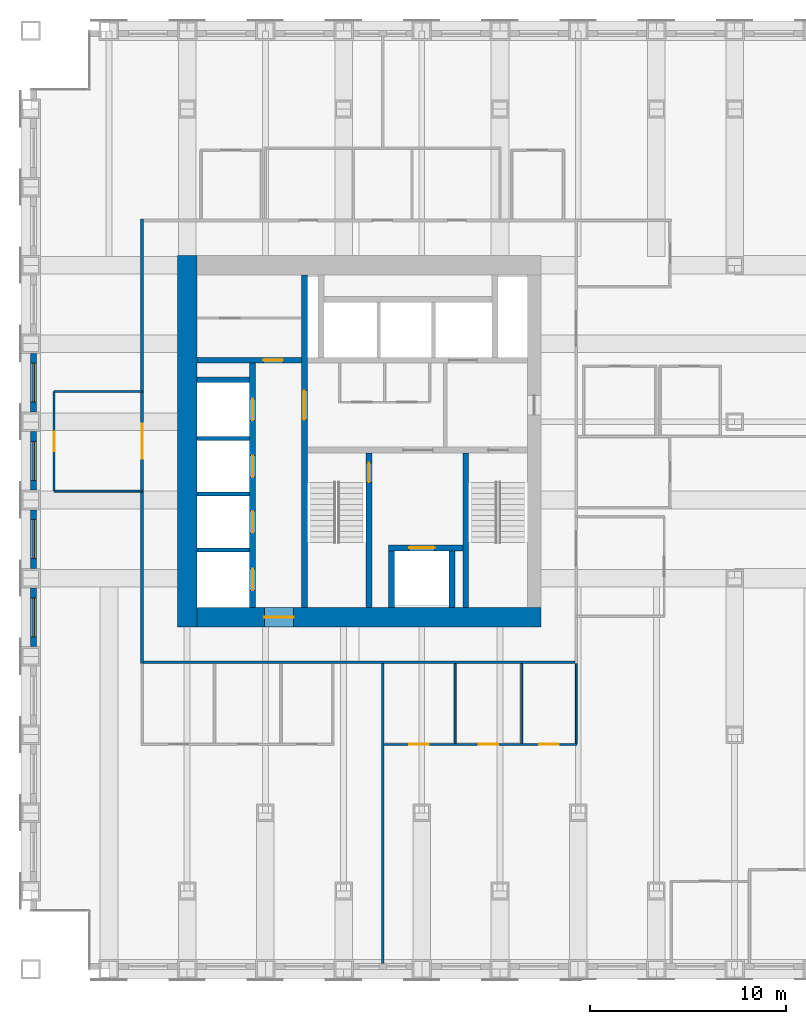
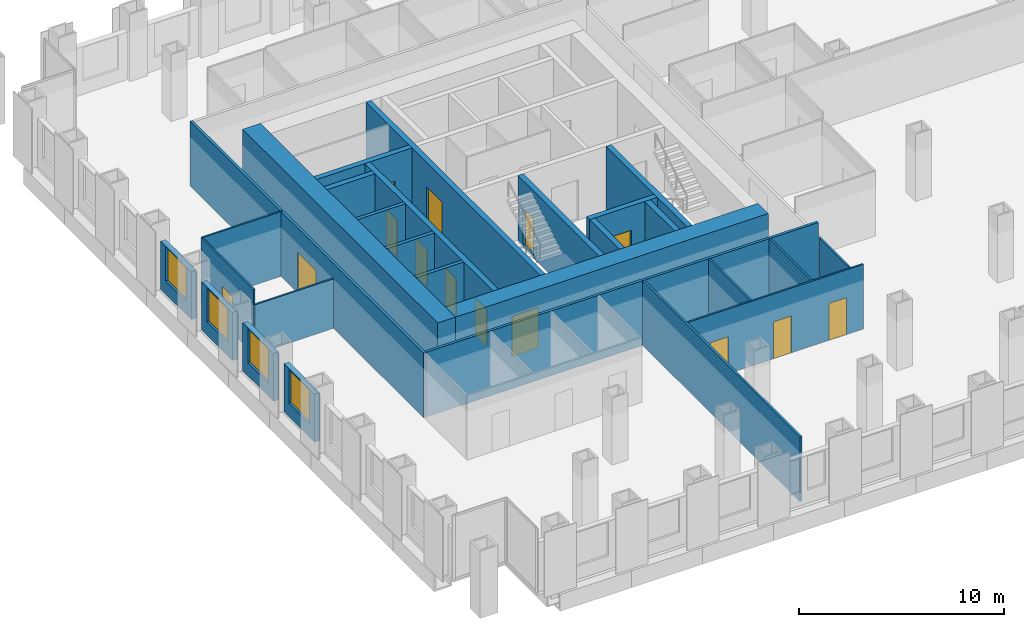
# One storey, part 11 of 16: 28 walls, 14 doors, 4 windows, 18 openings.
"""IFC4 building model written with IfcOpenShell, lengths in metres."""

from ifc_helpers import new_model, si_unit, direction, frame, frame_2d, origin, place, context, subcontext, project, spatial, rectangle, extrude, material, layer, layer_set, type_object, element, fill, save


model = new_model("IFC4")

# Units and contexts
model_context = context("Model", 3, precision=1e-05, world=origin(), true_north=direction((0.0, 1.0)))
body_context = subcontext(model_context, "Body", "Model", "MODEL_VIEW")
ifc_project = project(units=[si_unit("LENGTHUNIT", "METRE"), si_unit("AREAUNIT", "SQUARE_METRE"), si_unit("VOLUMEUNIT", "CUBIC_METRE"), si_unit("PLANEANGLEUNIT", "RADIAN"), si_unit("MASSUNIT", "GRAM", prefix="KILO")], contexts=[model_context])

# Site, building, storey
site_placement = place(None, origin())
site = spatial("IfcSite", under=ifc_project, at=site_placement, CompositionType="ELEMENT")
building_placement = place(site_placement, origin())
building = spatial("IfcBuilding", under=site, at=building_placement, Name="Rimbunsela Tower", CompositionType="ELEMENT")
storey_placement = place(building_placement, frame((0.0, 0.0, 93.39990234375)))
storey = spatial("IfcBuildingStorey", under=building, at=storey_placement, Name="L22", CompositionType="ELEMENT", Elevation=93.39990234375)

# Wall, opening, door
ifc_material_1 = material(Name="Concrete fc' 80 MPa", Category="concrete")
ifc_layer_1 = layer(ifc_material_1, 0.300048828125)
ifc_layer_set_1 = layer_set([ifc_layer_1], Name="Core internal wall 300")
wall_type_1 = type_object("IfcWallType", Name="Core internal wall 300", PredefinedType="SHEAR", material=ifc_layer_set_1)
wall_1_placement = place(storey_placement, frame((24.0, 18.5, -0.14990234375), z_axis=(0.0, 0.0, 1.0), x_axis=(0.0, 1.0, 0.0)))
wall_1 = element("IfcWall", 1, at=wall_1_placement, inside=storey, type_object=wall_type_1, Name="Core wall at stair A", PredefinedType="SHEAR", context=body_context, shape_type="SweptSolid", body=[
    extrude(rectangle(XDim=17.0, YDim=0.300048828125, at=frame_2d((8.5, 0.0))), origin(), (0.0, 0.0, 1.0), 4.0),
])
opening_1_placement = place(wall_1_placement, frame((9.60009765625, 0.0, 0.14990234375)))
opening_1 = element("IfcOpeningElement", 2, at=opening_1_placement, cuts=wall_1, Name="Opening D03", PredefinedType="OPENING", context=body_context, shape_type="SweptSolid", body=[
    extrude(rectangle(XDim=1.5, YDim=2.39990234375, at=frame_2d((0.75, 1.199951171875))), frame((0.0, 0.159912109375, 0.0), z_axis=(0.0, -1.0, 0.0), x_axis=(1.0, 0.0, 0.0)), (0.0, 0.0, 1.0), 0.320068359375),
])
ifc_material_2 = material(Name="Steel door, fire rated", Category="steel")
door_type_1 = type_object("IfcDoorType", Name="Core lobby door 1500", OperationType="DOUBLE_DOOR_DOUBLE_SWING", PredefinedType="DOOR", material=ifc_material_2)
door_1_placement = place(opening_1_placement, origin())
door_1 = element("IfcDoor", 3, at=door_1_placement, inside=storey, type_object=door_type_1, Name="West lobby door", OperationType="DOUBLE_DOOR_DOUBLE_SWING", OverallHeight=2.39990234375, OverallWidth=1.5, PredefinedType="DOOR", context=body_context, shape_type="SweptSolid", body=[
    extrude(rectangle(XDim=1.5, YDim=2.39990234375, at=frame_2d((0.75, 1.199951171875))), frame((0.0, 0.02490234375, 0.0), z_axis=(0.0, -1.0, 0.0), x_axis=(1.0, 0.0, 0.0)), (0.0, 0.0, 1.0), 0.050048828125),
])
fill(opening_1, door_1)

wall_2_placement = place(storey_placement, frame((27.300048828125, 18.5, -0.14990234375), z_axis=(0.0, 0.0, 1.0), x_axis=(0.0, 1.0, 0.0)))
wall_2 = element("IfcWall", 4, at=wall_2_placement, inside=storey, type_object=wall_type_1, Name="Stair A enclosure", PredefinedType="SHEAR", context=body_context, shape_type="SweptSolid", body=[
    extrude(rectangle(XDim=7.89990234375, YDim=0.300048828125, at=frame_2d((3.949951171875, 0.0))), origin(), (0.0, 0.0, 1.0), 4.0),
])
opening_2_placement = place(wall_2_placement, frame((6.39990234375, 0.0, 0.14990234375)))
opening_2 = element("IfcOpeningElement", 5, at=opening_2_placement, cuts=wall_2, Name="Opening D01", PredefinedType="OPENING", context=body_context, shape_type="SweptSolid", body=[
    extrude(rectangle(XDim=1.0, YDim=2.199951171875, at=frame_2d((0.5, 1.10009765625))), frame((0.0, 0.159912109375, 0.0), z_axis=(0.0, -1.0, 0.0), x_axis=(1.0, 0.0, 0.0)), (0.0, 0.0, 1.0), 0.320068359375),
])
ifc_material_3 = material(Name="Steel door, fire rated", Category="steel")
door_type_2 = type_object("IfcDoorType", Name="Stair door 1000", OperationType="SINGLE_SWING_RIGHT", PredefinedType="DOOR", material=ifc_material_3)
door_2_placement = place(opening_2_placement, origin())
door_2 = element("IfcDoor", 6, at=door_2_placement, inside=storey, type_object=door_type_2, Name="Stair A door", OperationType="SINGLE_SWING_RIGHT", OverallHeight=2.199951171875, OverallWidth=1.0, PredefinedType="DOOR", context=body_context, shape_type="SweptSolid", body=[
    extrude(rectangle(XDim=1.0, YDim=2.199951171875, at=frame_2d((0.5, 1.10009765625))), frame((0.0, 0.02490234375, 0.0), z_axis=(0.0, -1.0, 0.0), x_axis=(1.0, 0.0, 0.0)), (0.0, 0.0, 1.0), 0.050048828125),
])
fill(opening_2, door_2)

# Walls
wall_3_placement = place(storey_placement, frame((32.25, 18.5, -0.14990234375), z_axis=(0.0, 0.0, 1.0), x_axis=(0.0, 1.0, 0.0)))
element("IfcWall", 7, at=wall_3_placement, inside=storey, type_object=wall_type_1, Name="Stair B enclosure", PredefinedType="SHEAR", context=body_context, shape_type="SweptSolid", body=[
    extrude(rectangle(XDim=7.89990234375, YDim=0.300048828125, at=frame_2d((3.949951171875, 0.0))), origin(), (0.0, 0.0, 1.0), 4.0),
])
for number, where, z_axis, x_axis, name in (
    (8, (28.449951171875, 18.5, -0.14990234375), (0.0, 0.0, 1.0), (0.0, 1.0, 0.0), "Firefighting lift shaft west"),
    (9, (31.550048828125, 18.5, -0.14990234375), (0.0, 0.0, 1.0), (0.0, 1.0, 0.0), "Firefighting lift shaft east"),
):
    element("IfcWall", number, at=place(storey_placement, frame(where, z_axis=z_axis, x_axis=x_axis)), inside=storey, type_object=wall_type_1, Name=name, PredefinedType="SHEAR", context=body_context, shape_type="SweptSolid", body=[
        extrude(rectangle(XDim=2.89990234375, YDim=0.300048828125, at=frame_2d((1.449951171875, 0.0))), origin(), (0.0, 0.0, 1.0), 4.0),
    ])

# Wall, opening, door
wall_4_placement = place(storey_placement, frame((28.300048828125, 21.550048828125, -0.14990234375), z_axis=(0.0, 0.0, 1.0), x_axis=(1.0, 0.0, 0.0)))
wall_4 = element("IfcWall", 10, at=wall_4_placement, inside=storey, type_object=wall_type_1, Name="Firefighting lift shaft front", PredefinedType="SHEAR", context=body_context, shape_type="SweptSolid", body=[
    extrude(rectangle(XDim=3.800048828125, YDim=0.300048828125, at=frame_2d((1.89990234375, 0.0))), origin(), (0.0, 0.0, 1.0), 4.0),
])
opening_3_placement = place(wall_4_placement, frame((1.050048828125, 0.0, 0.14990234375)))
opening_3 = element("IfcOpeningElement", 11, at=opening_3_placement, cuts=wall_4, Name="Opening LD2", PredefinedType="OPENING", context=body_context, shape_type="SweptSolid", body=[
    extrude(rectangle(XDim=1.300048828125, YDim=2.39990234375, at=frame_2d((0.64990234375, 1.199951171875))), frame((0.0, 0.159912109375, 0.0), z_axis=(0.0, -1.0, 0.0), x_axis=(1.0, 0.0, 0.0)), (0.0, 0.0, 1.0), 0.320068359375),
])
ifc_material_4 = material(Name="Steel door, fire rated", Category="steel")
door_type_3 = type_object("IfcDoorType", Name="Lift landing door 1300", OperationType="DOUBLE_DOOR_SLIDING", PredefinedType="DOOR", material=ifc_material_4)
door_3_placement = place(opening_3_placement, origin())
door_3 = element("IfcDoor", 12, at=door_3_placement, inside=storey, type_object=door_type_3, Name="Lift landing door FL1", OperationType="DOUBLE_DOOR_SLIDING", OverallHeight=2.39990234375, OverallWidth=1.300048828125, PredefinedType="DOOR", context=body_context, shape_type="SweptSolid", body=[
    extrude(rectangle(XDim=1.300048828125, YDim=2.39990234375, at=frame_2d((0.64990234375, 1.199951171875))), frame((0.0, 0.02490234375, 0.0), z_axis=(0.0, -1.0, 0.0), x_axis=(1.0, 0.0, 0.0)), (0.0, 0.0, 1.0), 0.050048828125),
])
fill(opening_3, door_3)

# Wall, openings, doors
wall_5_placement = place(storey_placement, frame((21.35009765625, 18.5, -0.14990234375), z_axis=(0.0, 0.0, 1.0), x_axis=(0.0, 1.0, 0.0)))
wall_5 = element("IfcWall", 13, at=wall_5_placement, inside=storey, type_object=wall_type_1, Name="Lift shaft front west", PredefinedType="SHEAR", context=body_context, shape_type="SweptSolid", body=[
    extrude(rectangle(XDim=12.5, YDim=0.300048828125, at=frame_2d((6.25, 0.0))), origin(), (0.0, 0.0, 1.0), 4.0),
])
opening_4_placement = place(wall_5_placement, frame((0.875, 0.0, 0.14990234375)))
opening_4 = element("IfcOpeningElement", 14, at=opening_4_placement, cuts=wall_5, Name="Opening LD1", PredefinedType="OPENING", context=body_context, shape_type="SweptSolid", body=[
    extrude(rectangle(XDim=1.10009765625, YDim=2.199951171875, at=frame_2d((0.550048828125, 1.10009765625))), frame((0.0, 0.159912109375, 0.0), z_axis=(0.0, -1.0, 0.0), x_axis=(1.0, 0.0, 0.0)), (0.0, 0.0, 1.0), 0.320068359375),
])
opening_5_placement = place(wall_5_placement, frame((3.824951171875, 0.0, 0.14990234375)))
opening_5 = element("IfcOpeningElement", 15, at=opening_5_placement, cuts=wall_5, Name="Opening LD1", PredefinedType="OPENING", context=body_context, shape_type="SweptSolid", body=[
    extrude(rectangle(XDim=1.10009765625, YDim=2.199951171875, at=frame_2d((0.550048828125, 1.10009765625))), frame((0.0, 0.159912109375, 0.0), z_axis=(0.0, -1.0, 0.0), x_axis=(1.0, 0.0, 0.0)), (0.0, 0.0, 1.0), 0.320068359375),
])
opening_6_placement = place(wall_5_placement, frame((6.675048828125, 0.0, 0.14990234375)))
opening_6 = element("IfcOpeningElement", 16, at=opening_6_placement, cuts=wall_5, Name="Opening LD1", PredefinedType="OPENING", context=body_context, shape_type="SweptSolid", body=[
    extrude(rectangle(XDim=1.10009765625, YDim=2.199951171875, at=frame_2d((0.550048828125, 1.10009765625))), frame((0.0, 0.159912109375, 0.0), z_axis=(0.0, -1.0, 0.0), x_axis=(1.0, 0.0, 0.0)), (0.0, 0.0, 1.0), 0.320068359375),
])
opening_7_placement = place(wall_5_placement, frame((9.574951171875, 0.0, 0.14990234375)))
opening_7 = element("IfcOpeningElement", 17, at=opening_7_placement, cuts=wall_5, Name="Opening LD1", PredefinedType="OPENING", context=body_context, shape_type="SweptSolid", body=[
    extrude(rectangle(XDim=1.10009765625, YDim=2.199951171875, at=frame_2d((0.550048828125, 1.10009765625))), frame((0.0, 0.159912109375, 0.0), z_axis=(0.0, -1.0, 0.0), x_axis=(1.0, 0.0, 0.0)), (0.0, 0.0, 1.0), 0.320068359375),
])
ifc_material_5 = material(Name="Steel door, fire rated", Category="steel")
door_type_4 = type_object("IfcDoorType", Name="Lift landing door 1100", OperationType="DOUBLE_DOOR_SLIDING", PredefinedType="DOOR", material=ifc_material_5)
door_4_placement = place(opening_4_placement, origin())
door_4 = element("IfcDoor", 18, at=door_4_placement, inside=storey, type_object=door_type_4, Name="Lift landing door ML1", OperationType="DOUBLE_DOOR_SLIDING", OverallHeight=2.199951171875, OverallWidth=1.10009765625, PredefinedType="DOOR", context=body_context, shape_type="SweptSolid", body=[
    extrude(rectangle(XDim=1.10009765625, YDim=2.199951171875, at=frame_2d((0.550048828125, 1.10009765625))), frame((0.0, 0.02490234375, 0.0), z_axis=(0.0, -1.0, 0.0), x_axis=(1.0, 0.0, 0.0)), (0.0, 0.0, 1.0), 0.050048828125),
])
fill(opening_4, door_4)
door_5_placement = place(opening_5_placement, origin())
door_5 = element("IfcDoor", 19, at=door_5_placement, inside=storey, type_object=door_type_4, Name="Lift landing door ML2", OperationType="DOUBLE_DOOR_SLIDING", OverallHeight=2.199951171875, OverallWidth=1.10009765625, PredefinedType="DOOR", context=body_context, shape_type="SweptSolid", body=[
    extrude(rectangle(XDim=1.10009765625, YDim=2.199951171875, at=frame_2d((0.550048828125, 1.10009765625))), frame((0.0, 0.02490234375, 0.0), z_axis=(0.0, -1.0, 0.0), x_axis=(1.0, 0.0, 0.0)), (0.0, 0.0, 1.0), 0.050048828125),
])
fill(opening_5, door_5)
door_6_placement = place(opening_6_placement, origin())
door_6 = element("IfcDoor", 20, at=door_6_placement, inside=storey, type_object=door_type_4, Name="Lift landing door ML3", OperationType="DOUBLE_DOOR_SLIDING", OverallHeight=2.199951171875, OverallWidth=1.10009765625, PredefinedType="DOOR", context=body_context, shape_type="SweptSolid", body=[
    extrude(rectangle(XDim=1.10009765625, YDim=2.199951171875, at=frame_2d((0.550048828125, 1.10009765625))), frame((0.0, 0.02490234375, 0.0), z_axis=(0.0, -1.0, 0.0), x_axis=(1.0, 0.0, 0.0)), (0.0, 0.0, 1.0), 0.050048828125),
])
fill(opening_6, door_6)
door_7_placement = place(opening_7_placement, origin())
door_7 = element("IfcDoor", 21, at=door_7_placement, inside=storey, type_object=door_type_4, Name="Lift landing door ML4", OperationType="DOUBLE_DOOR_SLIDING", OverallHeight=2.199951171875, OverallWidth=1.10009765625, PredefinedType="DOOR", context=body_context, shape_type="SweptSolid", body=[
    extrude(rectangle(XDim=1.10009765625, YDim=2.199951171875, at=frame_2d((0.550048828125, 1.10009765625))), frame((0.0, 0.02490234375, 0.0), z_axis=(0.0, -1.0, 0.0), x_axis=(1.0, 0.0, 0.0)), (0.0, 0.0, 1.0), 0.050048828125),
])
fill(opening_7, door_7)

# Wall, opening, door
wall_6_placement = place(storey_placement, frame((18.5, 31.14990234375, -0.14990234375), z_axis=(0.0, 0.0, 1.0), x_axis=(1.0, 0.0, 0.0)))
wall_6 = element("IfcWall", 22, at=wall_6_placement, inside=storey, type_object=wall_type_1, Name="Store wall", PredefinedType="SHEAR", context=body_context, shape_type="SweptSolid", body=[
    extrude(rectangle(XDim=5.35009765625, YDim=0.300048828125, at=frame_2d((2.675048828125, 0.0))), origin(), (0.0, 0.0, 1.0), 4.0),
])
opening_8_placement = place(wall_6_placement, frame((3.39990234375, 0.0, 0.14990234375)))
opening_8 = element("IfcOpeningElement", 23, at=opening_8_placement, cuts=wall_6, Name="Opening D19", PredefinedType="OPENING", context=body_context, shape_type="SweptSolid", body=[
    extrude(rectangle(XDim=1.0, YDim=2.199951171875, at=frame_2d((0.5, 1.10009765625))), frame((0.0, 0.159912109375, 0.0), z_axis=(0.0, -1.0, 0.0), x_axis=(1.0, 0.0, 0.0)), (0.0, 0.0, 1.0), 0.320068359375),
])
ifc_material_6 = material(Name="Steel door, fire rated", Category="steel")
door_type_5 = type_object("IfcDoorType", Name="Service door 1000 fire rated", OperationType="SINGLE_SWING_LEFT", PredefinedType="DOOR", material=ifc_material_6)
door_8_placement = place(opening_8_placement, origin())
door_8 = element("IfcDoor", 24, at=door_8_placement, inside=storey, type_object=door_type_5, Name="Cleaners store door", OperationType="SINGLE_SWING_LEFT", OverallHeight=2.199951171875, OverallWidth=1.0, PredefinedType="DOOR", context=body_context, shape_type="SweptSolid", body=[
    extrude(rectangle(XDim=1.0, YDim=2.199951171875, at=frame_2d((0.5, 1.10009765625))), frame((0.0, 0.02490234375, 0.0), z_axis=(0.0, -1.0, 0.0), x_axis=(1.0, 0.0, 0.0)), (0.0, 0.0, 1.0), 0.050048828125),
])
fill(opening_8, door_8)

# Walls
wall_7_placement = place(storey_placement, frame((18.5, 30.14990234375, -0.14990234375), z_axis=(0.0, 0.0, 1.0), x_axis=(1.0, 0.0, 0.0)))
element("IfcWall", 25, at=wall_7_placement, inside=storey, type_object=wall_type_1, Name="Lift shaft rear west", PredefinedType="SHEAR", context=body_context, shape_type="SweptSolid", body=[
    extrude(rectangle(XDim=2.699951171875, YDim=0.300048828125, at=frame_2d((1.35009765625, 0.0))), origin(), (0.0, 0.0, 1.0), 4.0),
])
ifc_material_7 = material(Name="Concrete fc' 80 MPa", Category="concrete")
ifc_layer_2 = layer(ifc_material_7, 1.0)
ifc_layer_set_2 = layer_set([ifc_layer_2], Name="Core wall 1000")
wall_type_2 = type_object("IfcWallType", Name="Core wall 1000", PredefinedType="SHEAR", material=ifc_layer_set_2)
wall_8_placement = place(storey_placement, frame((18.0, 17.5, -0.14990234375), z_axis=(0.0, 0.0, 1.0), x_axis=(0.0, 1.0, 0.0)))
element("IfcWall", 26, at=wall_8_placement, inside=storey, type_object=wall_type_2, Name="Core wall west", PredefinedType="SHEAR", context=body_context, shape_type="SweptSolid", body=[
    extrude(rectangle(XDim=19.0, YDim=1.0, at=frame_2d((9.5, 0.0))), origin(), (0.0, 0.0, 1.0), 4.0),
])

# Wall, opening, door
wall_9_placement = place(storey_placement, frame((18.5, 18.0, -0.14990234375), z_axis=(0.0, 0.0, 1.0), x_axis=(1.0, 0.0, 0.0)))
wall_9 = element("IfcWall", 27, at=wall_9_placement, inside=storey, type_object=wall_type_2, Name="Core wall south", PredefinedType="SHEAR", context=body_context, shape_type="SweptSolid", body=[
    extrude(rectangle(XDim=17.60009765625, YDim=1.0, at=frame_2d((8.800048828125, 0.0))), origin(), (0.0, 0.0, 1.0), 4.0),
])
opening_9_placement = place(wall_9_placement, frame((3.449951171875, 0.0, 0.14990234375)))
opening_9 = element("IfcOpeningElement", 28, at=opening_9_placement, cuts=wall_9, Name="Opening D03", PredefinedType="OPENING", context=body_context, shape_type="SweptSolid", body=[
    extrude(rectangle(XDim=1.5, YDim=2.39990234375, at=frame_2d((0.75, 1.199951171875))), frame((0.0, 0.510009765625, 0.0), z_axis=(0.0, -1.0, 0.0), x_axis=(1.0, 0.0, 0.0)), (0.0, 0.0, 1.0), 1.02001953125),
])
door_9_placement = place(opening_9_placement, origin())
door_9 = element("IfcDoor", 29, at=door_9_placement, inside=storey, type_object=door_type_1, Name="Core door south", OperationType="DOUBLE_DOOR_DOUBLE_SWING", OverallHeight=2.39990234375, OverallWidth=1.5, PredefinedType="DOOR", context=body_context, shape_type="SweptSolid", body=[
    extrude(rectangle(XDim=1.5, YDim=2.39990234375, at=frame_2d((0.75, 1.199951171875))), frame((0.0, 0.02490234375, 0.0), z_axis=(0.0, -1.0, 0.0), x_axis=(1.0, 0.0, 0.0)), (0.0, 0.0, 1.0), 0.050048828125),
])
fill(opening_9, door_9)

# Walls
ifc_material_8 = material(Name="Concrete blockwork", Category="masonry")
ifc_layer_3 = layer(ifc_material_8, 0.199951171875)
ifc_layer_set_3 = layer_set([ifc_layer_3], Name="Lift shaft wall 200")
wall_type_3 = type_object("IfcWallType", Name="Lift shaft wall 200", PredefinedType="SOLIDWALL", material=ifc_layer_set_3)
for number, where, z_axis, x_axis, name in (
    (30, (18.5, 21.449951171875, -0.14990234375), (0.0, 0.0, 1.0), (1.0, 0.0, 0.0), "Lift shaft separation"),
    (31, (18.5, 24.300048828125, -0.14990234375), (0.0, 0.0, 1.0), (1.0, 0.0, 0.0), "Lift shaft separation"),
    (32, (18.5, 27.14990234375, -0.14990234375), (0.0, 0.0, 1.0), (1.0, 0.0, 0.0), "Lift shaft separation"),
):
    element("IfcWall", number, at=place(storey_placement, frame(where, z_axis=z_axis, x_axis=x_axis)), inside=storey, type_object=wall_type_3, Name=name, PredefinedType="SOLIDWALL", context=body_context, shape_type="SweptSolid", body=[
        extrude(rectangle(XDim=2.699951171875, YDim=0.199951171875, at=frame_2d((1.35009765625, 0.0))), origin(), (0.0, 0.0, 1.0), 4.0),
    ])

# Wall, openings, doors
ifc_material_9 = material(Name="Gypsum board on steel studs", Category="steel")
ifc_layer_4 = layer(ifc_material_9, 0.10009765625)
ifc_layer_set_4 = layer_set([ifc_layer_4], Name="Office partition 100")
wall_type_4 = type_object("IfcWallType", Name="Office partition 100", PredefinedType="PARTITIONING", material=ifc_layer_set_4)
wall_10_placement = place(storey_placement, frame((28.06103515625, 11.5, 0.0), z_axis=(0.0, 0.0, 1.0), x_axis=(1.0, 0.0, 0.0)))
wall_10 = element("IfcWall", 33, at=wall_10_placement, inside=storey, type_object=wall_type_4, Name="Office partition", PredefinedType="PARTITIONING", context=body_context, shape_type="SweptSolid", body=[
    extrude(rectangle(XDim=9.888916015625, YDim=0.10009765625, at=frame_2d((4.9443359375, 0.0))), origin(), (0.0, 0.0, 1.0), 3.85009765625),
])
opening_10_placement = place(wall_10_placement, frame((1.2900390625, 0.0, 0.0)))
opening_10 = element("IfcOpeningElement", 34, at=opening_10_placement, cuts=wall_10, Name="Opening D17", PredefinedType="OPENING", context=body_context, shape_type="SweptSolid", body=[
    extrude(rectangle(XDim=1.0, YDim=2.199951171875, at=frame_2d((0.5, 1.10009765625))), frame((0.0, 0.06005859375, 0.0), z_axis=(0.0, -1.0, 0.0), x_axis=(1.0, 0.0, 0.0)), (0.0, 0.0, 1.0), 0.1201171875),
])
opening_11_placement = place(wall_10_placement, frame((4.840087890625, 0.0, 0.0)))
opening_11 = element("IfcOpeningElement", 35, at=opening_11_placement, cuts=wall_10, Name="Opening D16", PredefinedType="OPENING", context=body_context, shape_type="SweptSolid", body=[
    extrude(rectangle(XDim=1.0, YDim=2.199951171875, at=frame_2d((0.5, 1.10009765625))), frame((0.0, 0.06005859375, 0.0), z_axis=(0.0, -1.0, 0.0), x_axis=(1.0, 0.0, 0.0)), (0.0, 0.0, 1.0), 0.1201171875),
])
opening_12_placement = place(wall_10_placement, frame((7.939453125, 0.0, 0.0)))
opening_12 = element("IfcOpeningElement", 36, at=opening_12_placement, cuts=wall_10, Name="Opening D16", PredefinedType="OPENING", context=body_context, shape_type="SweptSolid", body=[
    extrude(rectangle(XDim=1.0, YDim=2.199951171875, at=frame_2d((0.5, 1.10009765625))), frame((0.0, 0.06005859375, 0.0), z_axis=(0.0, -1.0, 0.0), x_axis=(1.0, 0.0, 0.0)), (0.0, 0.0, 1.0), 0.1201171875),
])
ifc_material_10 = material(Name="Glazed aluminium door", Category="aluminium")
door_type_6 = type_object("IfcDoorType", Name="Meeting room door 1000 glazed", OperationType="SINGLE_SWING_RIGHT", PredefinedType="DOOR", material=ifc_material_10)
door_10_placement = place(opening_10_placement, origin())
door_10 = element("IfcDoor", 37, at=door_10_placement, inside=storey, type_object=door_type_6, Name="Meeting room door", OperationType="SINGLE_SWING_RIGHT", OverallHeight=2.199951171875, OverallWidth=1.0, PredefinedType="DOOR", context=body_context, shape_type="SweptSolid", body=[
    extrude(rectangle(XDim=1.0, YDim=2.199951171875, at=frame_2d((0.5, 1.10009765625))), frame((0.0, 0.02490234375, 0.0), z_axis=(0.0, -1.0, 0.0), x_axis=(1.0, 0.0, 0.0)), (0.0, 0.0, 1.0), 0.050048828125),
])
fill(opening_10, door_10)
ifc_material_11 = material(Name="Timber door", Category="wood")
door_type_7 = type_object("IfcDoorType", Name="Office door 1000", OperationType="SINGLE_SWING_LEFT", PredefinedType="DOOR", material=ifc_material_11)
door_11_placement = place(opening_11_placement, origin())
door_11 = element("IfcDoor", 38, at=door_11_placement, inside=storey, type_object=door_type_7, Name="Office door", OperationType="SINGLE_SWING_LEFT", OverallHeight=2.199951171875, OverallWidth=1.0, PredefinedType="DOOR", context=body_context, shape_type="SweptSolid", body=[
    extrude(rectangle(XDim=1.0, YDim=2.199951171875, at=frame_2d((0.5, 1.10009765625))), frame((0.0, 0.02490234375, 0.0), z_axis=(0.0, -1.0, 0.0), x_axis=(1.0, 0.0, 0.0)), (0.0, 0.0, 1.0), 0.050048828125),
])
fill(opening_11, door_11)
door_12_placement = place(opening_12_placement, origin())
door_12 = element("IfcDoor", 39, at=door_12_placement, inside=storey, type_object=door_type_7, Name="Office door", OperationType="SINGLE_SWING_LEFT", OverallHeight=2.199951171875, OverallWidth=1.0, PredefinedType="DOOR", context=body_context, shape_type="SweptSolid", body=[
    extrude(rectangle(XDim=1.0, YDim=2.199951171875, at=frame_2d((0.5, 1.10009765625))), frame((0.0, 0.02490234375, 0.0), z_axis=(0.0, -1.0, 0.0), x_axis=(1.0, 0.0, 0.0)), (0.0, 0.0, 1.0), 0.050048828125),
])
fill(opening_12, door_12)

# Walls
for number, where, z_axis, x_axis, name in (
    (40, (31.700927734375, 11.550048828125, 0.0), (0.0, 0.0, 1.0), (0.0, 1.0, 0.0), "Office partition"),
    (41, (35.10107421875, 11.550048828125, 0.0), (0.0, 0.0, 1.0), (0.0, 1.0, 0.0), "Office partition"),
):
    element("IfcWall", number, at=place(storey_placement, frame(where, z_axis=z_axis, x_axis=x_axis)), inside=storey, type_object=wall_type_4, Name=name, PredefinedType="PARTITIONING", context=body_context, shape_type="SweptSolid", body=[
        extrude(rectangle(XDim=4.074951171875, YDim=0.10009765625, at=frame_2d((2.03759765625, 0.0))), origin(), (0.0, 0.0, 1.0), 3.85009765625),
    ])
wall_11_placement = place(storey_placement, frame((37.89990234375, 11.550048828125, 0.0), z_axis=(0.0, 0.0, 1.0), x_axis=(0.0, 1.0, 0.0)))
element("IfcWall", 42, at=wall_11_placement, inside=storey, type_object=wall_type_4, Name="Office partition", PredefinedType="PARTITIONING", context=body_context, shape_type="SweptSolid", body=[
    extrude(rectangle(XDim=4.074951171875, YDim=0.10009765625, at=frame_2d((2.03759765625, 0.0))), origin(), (0.0, 0.0, 1.0), 2.9501953125),
])
wall_12_placement = place(storey_placement, frame((15.699951171875, 29.550048828125, 0.0), z_axis=(0.0, 0.0, 1.0), x_axis=(-1.0, 0.0, 0.0)))
element("IfcWall", 43, at=wall_12_placement, inside=storey, type_object=wall_type_4, Name="Office partition", PredefinedType="PARTITIONING", context=body_context, shape_type="SweptSolid", body=[
    extrude(rectangle(XDim=4.5, YDim=0.10009765625, at=frame_2d((2.25, 0.0))), origin(), (0.0, 0.0, 1.0), 3.85009765625),
])

# Wall, opening, door
wall_13_placement = place(storey_placement, frame((11.199951171875, 29.550048828125, 0.0), z_axis=(0.0, 0.0, 1.0), x_axis=(0.0, -1.0, 0.0)))
wall_13 = element("IfcWall", 44, at=wall_13_placement, inside=storey, type_object=wall_type_4, Name="Office partition", PredefinedType="PARTITIONING", context=body_context, shape_type="SweptSolid", body=[
    extrude(rectangle(XDim=5.10009765625, YDim=0.10009765625, at=frame_2d((2.550048828125, 0.0))), origin(), (0.0, 0.0, 1.0), 3.85009765625),
])
opening_13_placement = place(wall_13_placement, frame((2.050048828125, 0.0, 0.0)))
opening_13 = element("IfcOpeningElement", 45, at=opening_13_placement, cuts=wall_13, Name="Opening D17", PredefinedType="OPENING", context=body_context, shape_type="SweptSolid", body=[
    extrude(rectangle(XDim=1.0, YDim=2.199951171875, at=frame_2d((0.5, 1.10009765625))), frame((0.0, 0.06005859375, 0.0), z_axis=(0.0, -1.0, 0.0), x_axis=(1.0, 0.0, 0.0)), (0.0, 0.0, 1.0), 0.1201171875),
])
door_13_placement = place(opening_13_placement, origin())
door_13 = element("IfcDoor", 46, at=door_13_placement, inside=storey, type_object=door_type_6, Name="Reception door", OperationType="SINGLE_SWING_RIGHT", OverallHeight=2.199951171875, OverallWidth=1.0, PredefinedType="DOOR", context=body_context, shape_type="SweptSolid", body=[
    extrude(rectangle(XDim=1.0, YDim=2.199951171875, at=frame_2d((0.5, 1.10009765625))), frame((0.0, 0.02490234375, 0.0), z_axis=(0.0, -1.0, 0.0), x_axis=(1.0, 0.0, 0.0)), (0.0, 0.0, 1.0), 0.050048828125),
])
fill(opening_13, door_13)

# Wall
wall_14_placement = place(storey_placement, frame((11.199951171875, 24.449951171875, 0.0), z_axis=(0.0, 0.0, 1.0), x_axis=(1.0, 0.0, 0.0)))
element("IfcWall", 47, at=wall_14_placement, inside=storey, type_object=wall_type_4, Name="Office partition", PredefinedType="PARTITIONING", context=body_context, shape_type="SweptSolid", body=[
    extrude(rectangle(XDim=4.5, YDim=0.10009765625, at=frame_2d((2.25, 0.0))), origin(), (0.0, 0.0, 1.0), 2.9501953125),
])

# Wall, opening, window
ifc_material_12 = material(Name="Precast concrete fc' 35 MPa", Category="concrete")
ifc_layer_5 = layer(ifc_material_12, 0.300048828125)
ifc_layer_set_5 = layer_set([ifc_layer_5], Name="Precast concrete fc' 35 MPa")
wall_type_5 = type_object("IfcWallType", Name="Precast facade panel 300", PredefinedType="ELEMENTEDWALL", material=ifc_layer_set_5)
wall_15_placement = place(storey_placement, frame((10.14990234375, 19.5, 0.0), z_axis=(0.0, 0.0, 1.0), x_axis=(0.0, -1.0, 0.0)))
wall_15 = element("IfcWall", 48, at=wall_15_placement, inside=storey, type_object=wall_type_5, Name="Facade panel W L22", PredefinedType="ELEMENTEDWALL", context=body_context, shape_type="SweptSolid", body=[
    extrude(rectangle(XDim=3.0, YDim=0.300048828125, at=frame_2d((1.5, 0.0))), origin(), (0.0, 0.0, 1.0), 2.85009765625),
])
opening_14_placement = place(wall_15_placement, frame((0.5, 0.0, 0.800048828125)))
opening_14 = element("IfcOpeningElement", 49, at=opening_14_placement, cuts=wall_15, Name="Opening W1", PredefinedType="OPENING", context=body_context, shape_type="SweptSolid", body=[
    extrude(rectangle(XDim=2.0, YDim=2.0, at=frame_2d((1.0, 1.0))), frame((0.0, 0.159912109375, 0.0), z_axis=(0.0, -1.0, 0.0), x_axis=(1.0, 0.0, 0.0)), (0.0, 0.0, 1.0), 0.320068359375),
])
ifc_material_13 = material(Name="Clear glass in aluminium frame", Category="aluminium")
window_type = type_object("IfcWindowType", Name="Window W1 2000x2000", PartitioningType="DOUBLE_PANEL_VERTICAL", PredefinedType="WINDOW", material=ifc_material_13)
window_1_placement = place(opening_14_placement, origin())
window_1 = element("IfcWindow", 50, at=window_1_placement, inside=storey, type_object=window_type, Name="Window L22", OverallHeight=2.0, OverallWidth=2.0, PartitioningType="SINGLE_PANEL", PredefinedType="WINDOW", context=body_context, shape_type="SweptSolid", body=[
    extrude(rectangle(XDim=2.0, YDim=2.0, at=frame_2d((1.0, 1.0))), frame((0.0, 0.030029296875, 0.0), z_axis=(0.0, -1.0, 0.0), x_axis=(1.0, 0.0, 0.0)), (0.0, 0.0, 1.0), 0.06005859375),
])
fill(opening_14, window_1)

wall_16_placement = place(storey_placement, frame((10.14990234375, 23.5, 0.0), z_axis=(0.0, 0.0, 1.0), x_axis=(0.0, -1.0, 0.0)))
wall_16 = element("IfcWall", 51, at=wall_16_placement, inside=storey, type_object=wall_type_5, Name="Facade panel W L22", PredefinedType="ELEMENTEDWALL", context=body_context, shape_type="SweptSolid", body=[
    extrude(rectangle(XDim=3.0, YDim=0.300048828125, at=frame_2d((1.5, 0.0))), origin(), (0.0, 0.0, 1.0), 2.85009765625),
])
opening_15_placement = place(wall_16_placement, frame((0.5, 0.0, 0.800048828125)))
opening_15 = element("IfcOpeningElement", 52, at=opening_15_placement, cuts=wall_16, Name="Opening W1", PredefinedType="OPENING", context=body_context, shape_type="SweptSolid", body=[
    extrude(rectangle(XDim=2.0, YDim=2.0, at=frame_2d((1.0, 1.0))), frame((0.0, 0.159912109375, 0.0), z_axis=(0.0, -1.0, 0.0), x_axis=(1.0, 0.0, 0.0)), (0.0, 0.0, 1.0), 0.320068359375),
])
window_2_placement = place(opening_15_placement, origin())
window_2 = element("IfcWindow", 53, at=window_2_placement, inside=storey, type_object=window_type, Name="Window L22", OverallHeight=2.0, OverallWidth=2.0, PartitioningType="SINGLE_PANEL", PredefinedType="WINDOW", context=body_context, shape_type="SweptSolid", body=[
    extrude(rectangle(XDim=2.0, YDim=2.0, at=frame_2d((1.0, 1.0))), frame((0.0, 0.030029296875, 0.0), z_axis=(0.0, -1.0, 0.0), x_axis=(1.0, 0.0, 0.0)), (0.0, 0.0, 1.0), 0.06005859375),
])
fill(opening_15, window_2)

wall_17_placement = place(storey_placement, frame((10.14990234375, 27.5, 0.0), z_axis=(0.0, 0.0, 1.0), x_axis=(0.0, -1.0, 0.0)))
wall_17 = element("IfcWall", 54, at=wall_17_placement, inside=storey, type_object=wall_type_5, Name="Facade panel W L22", PredefinedType="ELEMENTEDWALL", context=body_context, shape_type="SweptSolid", body=[
    extrude(rectangle(XDim=3.0, YDim=0.300048828125, at=frame_2d((1.5, 0.0))), origin(), (0.0, 0.0, 1.0), 2.85009765625),
])
opening_16_placement = place(wall_17_placement, frame((0.5, 0.0, 0.800048828125)))
opening_16 = element("IfcOpeningElement", 55, at=opening_16_placement, cuts=wall_17, Name="Opening W1", PredefinedType="OPENING", context=body_context, shape_type="SweptSolid", body=[
    extrude(rectangle(XDim=2.0, YDim=2.0, at=frame_2d((1.0, 1.0))), frame((0.0, 0.159912109375, 0.0), z_axis=(0.0, -1.0, 0.0), x_axis=(1.0, 0.0, 0.0)), (0.0, 0.0, 1.0), 0.320068359375),
])
window_3_placement = place(opening_16_placement, origin())
window_3 = element("IfcWindow", 56, at=window_3_placement, inside=storey, type_object=window_type, Name="Window L22", OverallHeight=2.0, OverallWidth=2.0, PartitioningType="SINGLE_PANEL", PredefinedType="WINDOW", context=body_context, shape_type="SweptSolid", body=[
    extrude(rectangle(XDim=2.0, YDim=2.0, at=frame_2d((1.0, 1.0))), frame((0.0, 0.030029296875, 0.0), z_axis=(0.0, -1.0, 0.0), x_axis=(1.0, 0.0, 0.0)), (0.0, 0.0, 1.0), 0.06005859375),
])
fill(opening_16, window_3)

wall_18_placement = place(storey_placement, frame((10.14990234375, 31.5, 0.0), z_axis=(0.0, 0.0, 1.0), x_axis=(0.0, -1.0, 0.0)))
wall_18 = element("IfcWall", 57, at=wall_18_placement, inside=storey, type_object=wall_type_5, Name="Facade panel W L22", PredefinedType="ELEMENTEDWALL", context=body_context, shape_type="SweptSolid", body=[
    extrude(rectangle(XDim=3.0, YDim=0.300048828125, at=frame_2d((1.5, 0.0))), origin(), (0.0, 0.0, 1.0), 2.85009765625),
])
opening_17_placement = place(wall_18_placement, frame((0.5, 0.0, 0.800048828125)))
opening_17 = element("IfcOpeningElement", 58, at=opening_17_placement, cuts=wall_18, Name="Opening W1", PredefinedType="OPENING", context=body_context, shape_type="SweptSolid", body=[
    extrude(rectangle(XDim=2.0, YDim=2.0, at=frame_2d((1.0, 1.0))), frame((0.0, 0.159912109375, 0.0), z_axis=(0.0, -1.0, 0.0), x_axis=(1.0, 0.0, 0.0)), (0.0, 0.0, 1.0), 0.320068359375),
])
window_4_placement = place(opening_17_placement, origin())
window_4 = element("IfcWindow", 59, at=window_4_placement, inside=storey, type_object=window_type, Name="Window L22", OverallHeight=2.0, OverallWidth=2.0, PartitioningType="SINGLE_PANEL", PredefinedType="WINDOW", context=body_context, shape_type="SweptSolid", body=[
    extrude(rectangle(XDim=2.0, YDim=2.0, at=frame_2d((1.0, 1.0))), frame((0.0, 0.030029296875, 0.0), z_axis=(0.0, -1.0, 0.0), x_axis=(1.0, 0.0, 0.0)), (0.0, 0.0, 1.0), 0.06005859375),
])
fill(opening_17, window_4)

# Wall, opening, door
ifc_material_14 = material(Name="Fire-rated gypsum board on steel studs, EI 60", Category="steel")
ifc_layer_6 = layer(ifc_material_14, 0.14990234375)
ifc_layer_set_6 = layer_set([ifc_layer_6], Name="Rated corridor wall 150")
wall_type_6 = type_object("IfcWallType", Name="Rated corridor wall 150", PredefinedType="PARTITIONING", material=ifc_layer_set_6)
wall_19_placement = place(storey_placement, frame((15.699951171875, 15.625, 0.0), z_axis=(0.0, 0.0, 1.0), x_axis=(0.0, 1.0, 0.0)))
wall_19 = element("IfcWall", 60, at=wall_19_placement, inside=storey, type_object=wall_type_6, Name="Corridor wall west", PredefinedType="PARTITIONING", context=body_context, shape_type="SweptSolid", body=[
    extrude(rectangle(XDim=22.75, YDim=0.14990234375, at=frame_2d((11.375, 0.0))), origin(), (0.0, 0.0, 1.0), 3.85009765625),
])
opening_18_placement = place(wall_19_placement, frame((10.47509765625, 0.0, 0.0)))
opening_18 = element("IfcOpeningElement", 61, at=opening_18_placement, cuts=wall_19, Name="Opening D09", PredefinedType="OPENING", context=body_context, shape_type="SweptSolid", body=[
    extrude(rectangle(XDim=1.800048828125, YDim=2.39990234375, at=frame_2d((0.89990234375, 1.199951171875))), frame((0.0, 0.0849609375, 0.0), z_axis=(0.0, -1.0, 0.0), x_axis=(1.0, 0.0, 0.0)), (0.0, 0.0, 1.0), 0.169921875),
])
ifc_material_15 = material(Name="Glazed aluminium door, fire rated", Category="aluminium")
door_type_8 = type_object("IfcDoorType", Name="Tenancy door 1800 glazed", OperationType="DOUBLE_DOOR_DOUBLE_SWING", PredefinedType="DOOR", material=ifc_material_15)
door_14_placement = place(opening_18_placement, origin())
door_14 = element("IfcDoor", 62, at=door_14_placement, inside=storey, type_object=door_type_8, Name="Tenancy door", OperationType="DOUBLE_DOOR_DOUBLE_SWING", OverallHeight=2.39990234375, OverallWidth=1.800048828125, PredefinedType="DOOR", context=body_context, shape_type="SweptSolid", body=[
    extrude(rectangle(XDim=1.800048828125, YDim=2.39990234375, at=frame_2d((0.89990234375, 1.199951171875))), frame((0.0, 0.02490234375, 0.0), z_axis=(0.0, -1.0, 0.0), x_axis=(1.0, 0.0, 0.0)), (0.0, 0.0, 1.0), 0.050048828125),
])
fill(opening_18, door_14)

# Walls
wall_20_placement = place(storey_placement, frame((15.77490234375, 15.699951171875, 0.0), z_axis=(0.0, 0.0, 1.0), x_axis=(1.0, 0.0, 0.0)))
element("IfcWall", 63, at=wall_20_placement, inside=storey, type_object=wall_type_6, Name="Corridor wall south", PredefinedType="PARTITIONING", context=body_context, shape_type="SweptSolid", body=[
    extrude(rectangle(XDim=22.050048828125, YDim=0.14990234375, at=frame_2d((11.02490234375, 0.0))), origin(), (0.0, 0.0, 1.0), 3.85009765625),
])
ifc_material_16 = material(Name="Gypsum board on steel studs", Category="steel")
ifc_layer_7 = layer(ifc_material_16, 0.1201171875)
ifc_layer_set_7 = layer_set([ifc_layer_7], Name="Tenancy partition 120")
wall_type_7 = type_object("IfcWallType", Name="Tenancy partition 120", PredefinedType="PARTITIONING", material=ifc_layer_set_7)
wall_21_placement = place(storey_placement, frame((28.0, 0.300048828125, 0.0), z_axis=(0.0, 0.0, 1.0), x_axis=(0.0, 1.0, 0.0)))
element("IfcWall", 64, at=wall_21_placement, inside=storey, type_object=wall_type_7, Name="Tenancy partition south", PredefinedType="PARTITIONING", context=body_context, shape_type="SweptSolid", body=[
    extrude(rectangle(XDim=15.324951171875, YDim=0.1201171875, at=frame_2d((7.66259765625, 0.0))), origin(), (0.0, 0.0, 1.0), 3.85009765625),
])

save(model, "model.ifc")
